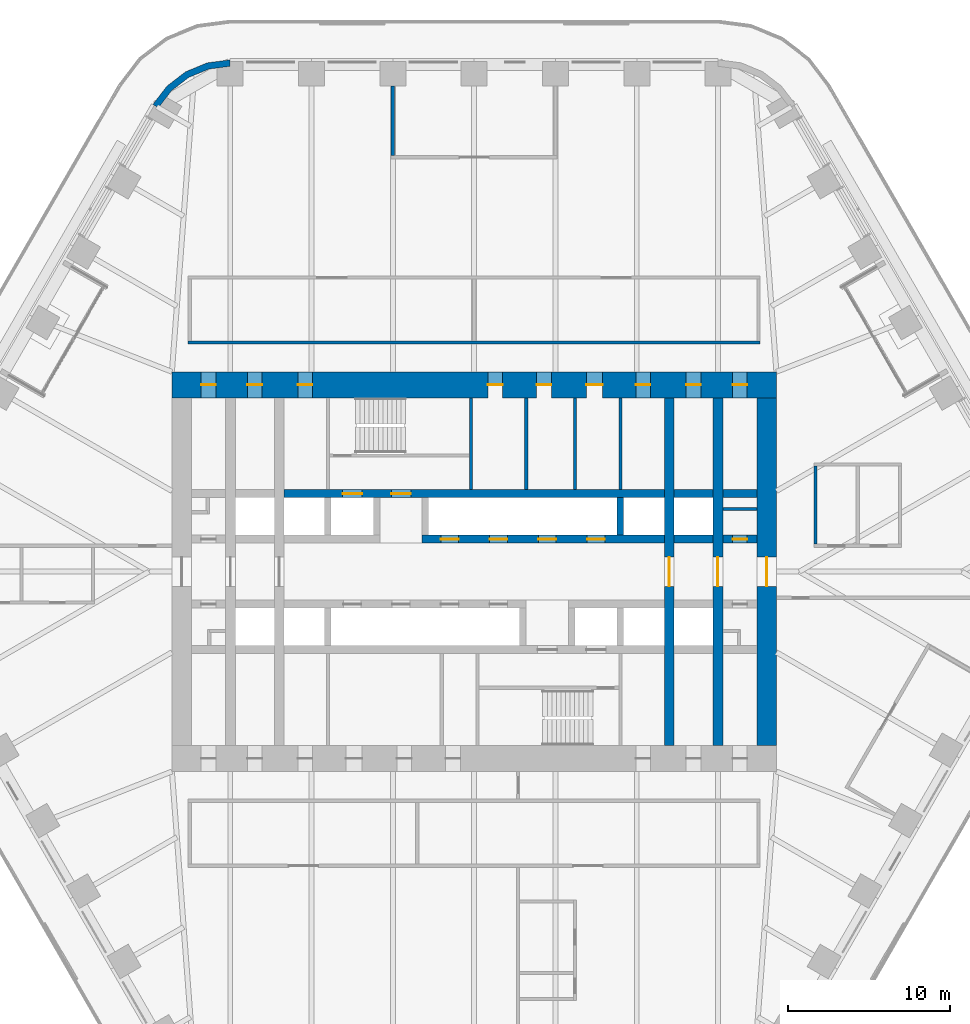
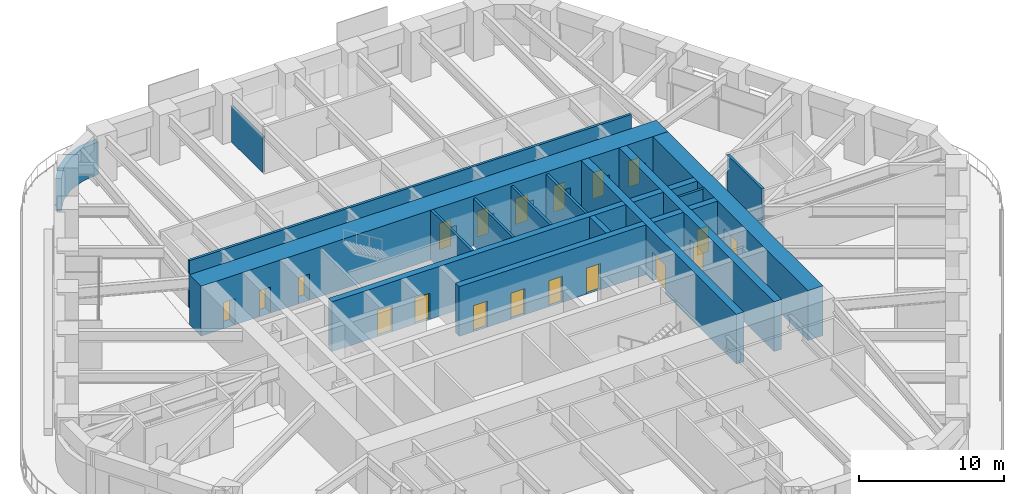
# One storey, part 20 of 24: 20 walls, 19 doors, 19 openings.
"""IFC4 building model written with IfcOpenShell, lengths in metres."""

from ifc_helpers import new_model, si_unit, direction, frame, frame_2d, origin, place, context, subcontext, project, spatial, polyline, rectangle, outline, extrude, material, layer, layer_set, type_object, element, fill, save


model = new_model("IFC4")

# Units and contexts
model_context = context("Model", 3, precision=1e-05, world=origin(), true_north=direction((0.0, 1.0)))
body_context = subcontext(model_context, "Body", "Model", "MODEL_VIEW")
ifc_project = project(units=[si_unit("LENGTHUNIT", "METRE"), si_unit("AREAUNIT", "SQUARE_METRE"), si_unit("VOLUMEUNIT", "CUBIC_METRE"), si_unit("PLANEANGLEUNIT", "RADIAN"), si_unit("MASSUNIT", "GRAM", prefix="KILO")], contexts=[model_context])

# Site, building, storey
site_placement = place(None, origin())
site = spatial("IfcSite", under=ifc_project, at=site_placement, CompositionType="ELEMENT")
building_placement = place(site_placement, origin())
building = spatial("IfcBuilding", under=site, at=building_placement, Name="Tarfa Lantern Tower", CompositionType="ELEMENT")
storey_placement = place(building_placement, frame((0.0, 0.0, 153.10009765625)))
storey = spatial("IfcBuildingStorey", under=building, at=storey_placement, Name="L34", CompositionType="ELEMENT", Elevation=153.10009765625)

# Walls
ifc_material_1 = material(Name="Limestone cladding on blockwork", Category="masonry")
ifc_layer_1 = layer(ifc_material_1, 0.39990234375)
ifc_layer_set_1 = layer_set([ifc_layer_1], Name="EW2 CURVED STONE CORNER 400")
wall_type_1 = type_object("IfcWallType", Name="EW2 CURVED STONE CORNER 400", PredefinedType="SOLIDWALL", material=ifc_layer_set_1)
wall_1_placement = place(storey_placement, origin())
element("IfcWall", 1, at=wall_1_placement, inside=storey, type_object=wall_type_1, Name="Stone corner N-NW", PredefinedType="SOLIDWALL", context=body_context, shape_type="SweptSolid", body=[
    extrude(outline(polyline([(-15.010986328125, 31.5), (-16.4345703125, 31.3125), (-17.760986328125, 30.76318359375), (-18.900146484375, 29.88916015625), (-19.774169921875, 28.75), (-19.427734375, 28.550048828125), (-18.617431640625, 29.606201171875), (-17.56103515625, 30.416748046875), (-16.3310546875, 30.92626953125), (-15.010986328125, 31.10009765625), (-15.010986328125, 31.5)])), origin(), (0.0, 0.0, 1.0), 2.75),
])
ifc_material_2 = material(Name="Concrete blockwork", Category="masonry")
ifc_layer_2 = layer(ifc_material_2, 0.199951171875)
ifc_layer_set_2 = layer_set([ifc_layer_2], Name="IW1 BLOCKWORK PARTITION 200 EI 120")
wall_type_2 = type_object("IfcWallType", Name="IW1 BLOCKWORK PARTITION 200 EI 120", PredefinedType="PARTITIONING", material=ifc_layer_set_2)
for number, where, z_axis, x_axis, name in (
    (2, (9.0, 5.050048828125, 0.0), (0.0, 0.0, 1.0), (0.0, 1.0, 0.0), "Core partition"),
    (3, (3.199951171875, 5.050048828125, 0.0), (0.0, 0.0, 1.0), (0.0, 1.0, 0.0), "Core partition"),
    (4, (6.199951171875, 5.050048828125, 0.0), (0.0, 0.0, 1.0), (0.0, 1.0, 0.0), "Core partition"),
):
    element("IfcWall", number, at=place(storey_placement, frame(where, z_axis=z_axis, x_axis=x_axis)), inside=storey, type_object=wall_type_2, Name=name, PredefinedType="PARTITIONING", context=body_context, shape_type="SweptSolid", body=[
        extrude(rectangle(XDim=5.64990234375, YDim=0.199951171875, at=frame_2d((2.824951171875, 0.0))), origin(), (0.0, 0.0, 1.0), 4.0),
    ])
wall_2_placement = place(storey_placement, frame((15.300048828125, 3.85009765625, 0.0), z_axis=(0.0, 0.0, 1.0), x_axis=(1.0, 0.0, 0.0)))
element("IfcWall", 5, at=wall_2_placement, inside=storey, type_object=wall_type_2, Name="Core partition", PredefinedType="PARTITIONING", context=body_context, shape_type="SweptSolid", body=[
    extrude(rectangle(XDim=2.099853515625, YDim=0.199951171875, at=frame_2d((1.0498046875, 0.0))), origin(), (0.0, 0.0, 1.0), 4.0),
])
ifc_material_3 = material(Name="Gypsum board on steel studs", Category="steel")
ifc_layer_3 = layer(ifc_material_3, 0.2099609375)
ifc_layer_set_3 = layer_set([ifc_layer_3], Name="IW2 ACOUSTIC PARTITION 200")
wall_type_3 = type_object("IfcWallType", Name="IW2 ACOUSTIC PARTITION 200", PredefinedType="PARTITIONING", material=ifc_layer_set_3)
wall_3_placement = place(storey_placement, frame((-17.60009765625, 14.10009765625, 0.0), z_axis=(0.0, 0.0, 1.0), x_axis=(1.0, 0.0, 0.0)))
element("IfcWall", 6, at=wall_3_placement, inside=storey, type_object=wall_type_3, Name="Partition", PredefinedType="PARTITIONING", context=body_context, shape_type="SweptSolid", body=[
    extrude(rectangle(XDim=35.2001953125, YDim=0.199951171875, at=frame_2d((17.60009765625, 0.0))), origin(), (0.0, 0.0, 1.0), 4.0),
])
wall_4_placement = place(storey_placement, frame((-5.003662109375, 25.60009765625, 0.0), z_axis=(0.0, 0.0, 1.0), x_axis=(0.0, 1.0, 0.0)))
element("IfcWall", 7, at=wall_4_placement, inside=storey, type_object=wall_type_3, Name="Partition", PredefinedType="PARTITIONING", context=body_context, shape_type="SweptSolid", body=[
    extrude(rectangle(XDim=4.2998046875, YDim=0.199951171875, at=frame_2d((2.14990234375, 0.0))), origin(), (0.0, 0.0, 1.0), 2.99169921875),
])
wall_5_placement = place(storey_placement, frame((21.0, 1.699951171875, 0.0), z_axis=(0.0, 0.0, 1.0), x_axis=(0.0, 1.0, 0.0)))
element("IfcWall", 8, at=wall_5_placement, inside=storey, type_object=wall_type_3, Name="Partition", PredefinedType="PARTITIONING", context=body_context, shape_type="SweptSolid", body=[
    extrude(rectangle(XDim=4.800048828125, YDim=0.199951171875, at=frame_2d((2.39990234375, 0.0))), origin(), (0.0, 0.0, 1.0), 4.0),
])

# Wall, opening, door
ifc_material_4 = material(Name="Concrete C80/95", Category="concrete")
ifc_layer_4 = layer(ifc_material_4, 1.199951171875)
ifc_layer_set_4 = layer_set([ifc_layer_4], Name="SW1 CORE WALL 1200")
wall_type_4 = type_object("IfcWallType", Name="SW1 CORE WALL 1200", PredefinedType="SHEAR", material=ifc_layer_set_4)
wall_6_placement = place(storey_placement, frame((18.0, -10.699951171875, 0.0), z_axis=(0.0, 0.0, 1.0), x_axis=(0.0, 1.0, 0.0)))
wall_6 = element("IfcWall", 9, at=wall_6_placement, inside=storey, type_object=wall_type_4, Name="Core wall E", PredefinedType="SHEAR", context=body_context, shape_type="SweptSolid", body=[
    extrude(rectangle(XDim=21.39990234375, YDim=1.199951171875, at=frame_2d((10.699951171875, 0.0))), origin(), (0.0, 0.0, 1.0), 4.199951171875),
])
opening_1_placement = place(wall_6_placement, frame((9.800048828125, 0.0, 0.0)))
opening_1 = element("IfcOpeningElement", 10, at=opening_1_placement, cuts=wall_6, Name="Opening D15", PredefinedType="OPENING", context=body_context, shape_type="SweptSolid", body=[
    extrude(rectangle(XDim=1.800048828125, YDim=2.39990234375, at=frame_2d((0.89990234375, 1.199951171875))), frame((0.0, 0.60986328125, 0.0), z_axis=(0.0, -1.0, 0.0), x_axis=(1.0, 0.0, 0.0)), (0.0, 0.0, 1.0), 1.219970703125),
])
ifc_material_5 = material(Name="Steel fire door", Category="steel")
door_type_1 = type_object("IfcDoorType", Name="DL1 LOBBY DOOR 1800x2400", OperationType="DOUBLE_DOOR_SINGLE_SWING", PredefinedType="DOOR", material=ifc_material_5)
door_1_placement = place(opening_1_placement, frame((1.800048828125, 0.0, 0.0), z_axis=(0.0, 0.0, 1.0), x_axis=(-1.0, 0.0, 0.0)))
door_1 = element("IfcDoor", 11, at=door_1_placement, inside=storey, type_object=door_type_1, Name="Lift lobby door", OperationType="DOUBLE_DOOR_SINGLE_SWING", OverallHeight=2.39990234375, OverallWidth=1.800048828125, PredefinedType="DOOR", context=body_context, shape_type="SweptSolid", body=[
    extrude(rectangle(XDim=1.800048828125, YDim=2.39990234375, at=frame_2d((0.89990234375, 1.199951171875))), frame((0.0, 0.02490234375, 0.0), z_axis=(0.0, -1.0, 0.0), x_axis=(1.0, 0.0, 0.0)), (0.0, 0.0, 1.0), 0.050048828125),
])
fill(opening_1, door_1)

# Wall
ifc_layer_5 = layer(ifc_material_4, 0.199951171875)
ifc_layer_set_5 = layer_set([ifc_layer_5], Name="SW12 CORE WALL 200")
wall_type_5 = type_object("IfcWallType", Name="SW12 CORE WALL 200", PredefinedType="SHEAR", material=ifc_layer_set_5)
wall_7_placement = place(storey_placement, frame((-0.199951171875, 5.050048828125, 0.0), z_axis=(0.0, 0.0, 1.0), x_axis=(0.0, 1.0, 0.0)))
element("IfcWall", 12, at=wall_7_placement, inside=storey, type_object=wall_type_5, Name="Core wall stair shaft N", PredefinedType="SHEAR", context=body_context, shape_type="SweptSolid", body=[
    extrude(rectangle(XDim=5.64990234375, YDim=0.199951171875, at=frame_2d((2.824951171875, 0.0))), origin(), (0.0, 0.0, 1.0), 4.199951171875),
])

# Wall, openings, doors
ifc_layer_6 = layer(ifc_material_4, 0.5)
ifc_layer_set_6 = layer_set([ifc_layer_6], Name="SW5 CORE WALL 500")
wall_type_6 = type_object("IfcWallType", Name="SW5 CORE WALL 500", PredefinedType="SHEAR", material=ifc_layer_set_6)
wall_8_placement = place(storey_placement, frame((-3.199951171875, 2.0, 0.0), z_axis=(0.0, 0.0, 1.0), x_axis=(1.0, 0.0, 0.0)))
wall_8 = element("IfcWall", 13, at=wall_8_placement, inside=storey, type_object=wall_type_6, Name="Core wall lobby east N", PredefinedType="SHEAR", context=body_context, shape_type="SweptSolid", body=[
    extrude(rectangle(XDim=14.89990234375, YDim=0.5, at=frame_2d((7.449951171875, 0.0))), origin(), (0.0, 0.0, 1.0), 4.199951171875),
])
opening_2_placement = place(wall_8_placement, frame((1.14990234375, 0.0, 0.0)))
opening_2 = element("IfcOpeningElement", 14, at=opening_2_placement, cuts=wall_8, Name="Opening LD03", PredefinedType="OPENING", context=body_context, shape_type="SweptSolid", body=[
    extrude(rectangle(XDim=1.10009765625, YDim=2.199951171875, at=frame_2d((0.550048828125, 1.10009765625))), frame((0.0, 0.260009765625, 0.0), z_axis=(0.0, -1.0, 0.0), x_axis=(1.0, 0.0, 0.0)), (0.0, 0.0, 1.0), 0.52001953125),
])
opening_3_placement = place(wall_8_placement, frame((4.14990234375, 0.0, 0.0)))
opening_3 = element("IfcOpeningElement", 15, at=opening_3_placement, cuts=wall_8, Name="Opening LD04", PredefinedType="OPENING", context=body_context, shape_type="SweptSolid", body=[
    extrude(rectangle(XDim=1.10009765625, YDim=2.199951171875, at=frame_2d((0.550048828125, 1.10009765625))), frame((0.0, 0.260009765625, 0.0), z_axis=(0.0, -1.0, 0.0), x_axis=(1.0, 0.0, 0.0)), (0.0, 0.0, 1.0), 0.52001953125),
])
opening_4_placement = place(wall_8_placement, frame((7.14990234375, 0.0, 0.0)))
opening_4 = element("IfcOpeningElement", 16, at=opening_4_placement, cuts=wall_8, Name="Opening LD05", PredefinedType="OPENING", context=body_context, shape_type="SweptSolid", body=[
    extrude(rectangle(XDim=1.10009765625, YDim=2.199951171875, at=frame_2d((0.550048828125, 1.10009765625))), frame((0.0, 0.260009765625, 0.0), z_axis=(0.0, -1.0, 0.0), x_axis=(1.0, 0.0, 0.0)), (0.0, 0.0, 1.0), 0.52001953125),
])
opening_5_placement = place(wall_8_placement, frame((10.14990234375, 0.0, 0.0)))
opening_5 = element("IfcOpeningElement", 17, at=opening_5_placement, cuts=wall_8, Name="Opening LD06", PredefinedType="OPENING", context=body_context, shape_type="SweptSolid", body=[
    extrude(rectangle(XDim=1.10009765625, YDim=2.199951171875, at=frame_2d((0.550048828125, 1.10009765625))), frame((0.0, 0.260009765625, 0.0), z_axis=(0.0, -1.0, 0.0), x_axis=(1.0, 0.0, 0.0)), (0.0, 0.0, 1.0), 0.52001953125),
])
ifc_material_6 = material(Name="Stainless steel lift door", Category="steel")
door_type_2 = type_object("IfcDoorType", Name="LD2 LIFT LANDING DOOR 1100x2200", OperationType="SLIDING_TO_LEFT", PredefinedType="DOOR", material=ifc_material_6)
door_2_placement = place(opening_2_placement, frame((1.10009765625, 0.0, 0.0), z_axis=(0.0, 0.0, 1.0), x_axis=(-1.0, 0.0, 0.0)))
door_2 = element("IfcDoor", 18, at=door_2_placement, inside=storey, type_object=door_type_2, Name="Landing door PB1", OperationType="SLIDING_TO_LEFT", OverallHeight=2.199951171875, OverallWidth=1.10009765625, PredefinedType="DOOR", context=body_context, shape_type="SweptSolid", body=[
    extrude(rectangle(XDim=1.10009765625, YDim=2.199951171875, at=frame_2d((0.550048828125, 1.10009765625))), frame((0.0, 0.02490234375, 0.0), z_axis=(0.0, -1.0, 0.0), x_axis=(1.0, 0.0, 0.0)), (0.0, 0.0, 1.0), 0.050048828125),
])
fill(opening_2, door_2)
door_3_placement = place(opening_3_placement, frame((1.10009765625, 0.0, 0.0), z_axis=(0.0, 0.0, 1.0), x_axis=(-1.0, 0.0, 0.0)))
door_3 = element("IfcDoor", 19, at=door_3_placement, inside=storey, type_object=door_type_2, Name="Landing door PB2", OperationType="SLIDING_TO_LEFT", OverallHeight=2.199951171875, OverallWidth=1.10009765625, PredefinedType="DOOR", context=body_context, shape_type="SweptSolid", body=[
    extrude(rectangle(XDim=1.10009765625, YDim=2.199951171875, at=frame_2d((0.550048828125, 1.10009765625))), frame((0.0, 0.02490234375, 0.0), z_axis=(0.0, -1.0, 0.0), x_axis=(1.0, 0.0, 0.0)), (0.0, 0.0, 1.0), 0.050048828125),
])
fill(opening_3, door_3)
door_4_placement = place(opening_4_placement, frame((1.10009765625, 0.0, 0.0), z_axis=(0.0, 0.0, 1.0), x_axis=(-1.0, 0.0, 0.0)))
door_4 = element("IfcDoor", 20, at=door_4_placement, inside=storey, type_object=door_type_2, Name="Landing door PB3", OperationType="SLIDING_TO_LEFT", OverallHeight=2.199951171875, OverallWidth=1.10009765625, PredefinedType="DOOR", context=body_context, shape_type="SweptSolid", body=[
    extrude(rectangle(XDim=1.10009765625, YDim=2.199951171875, at=frame_2d((0.550048828125, 1.10009765625))), frame((0.0, 0.02490234375, 0.0), z_axis=(0.0, -1.0, 0.0), x_axis=(1.0, 0.0, 0.0)), (0.0, 0.0, 1.0), 0.050048828125),
])
fill(opening_4, door_4)
door_5_placement = place(opening_5_placement, frame((1.10009765625, 0.0, 0.0), z_axis=(0.0, 0.0, 1.0), x_axis=(-1.0, 0.0, 0.0)))
door_5 = element("IfcDoor", 21, at=door_5_placement, inside=storey, type_object=door_type_2, Name="Landing door PB4", OperationType="SLIDING_TO_LEFT", OverallHeight=2.199951171875, OverallWidth=1.10009765625, PredefinedType="DOOR", context=body_context, shape_type="SweptSolid", body=[
    extrude(rectangle(XDim=1.10009765625, YDim=2.199951171875, at=frame_2d((0.550048828125, 1.10009765625))), frame((0.0, 0.02490234375, 0.0), z_axis=(0.0, -1.0, 0.0), x_axis=(1.0, 0.0, 0.0)), (0.0, 0.0, 1.0), 0.050048828125),
])
fill(opening_5, door_5)

# Wall
wall_9_placement = place(storey_placement, frame((12.300048828125, 2.0, 0.0), z_axis=(0.0, 0.0, 1.0), x_axis=(1.0, 0.0, 0.0)))
element("IfcWall", 22, at=wall_9_placement, inside=storey, type_object=wall_type_6, Name="Core wall lobby east N", PredefinedType="SHEAR", context=body_context, shape_type="SweptSolid", body=[
    extrude(rectangle(XDim=2.39990234375, YDim=0.5, at=frame_2d((1.199951171875, 0.0))), origin(), (0.0, 0.0, 1.0), 4.199951171875),
])

# Wall, opening, door
wall_10_placement = place(storey_placement, frame((15.300048828125, 2.0, 0.0), z_axis=(0.0, 0.0, 1.0), x_axis=(1.0, 0.0, 0.0)))
wall_10 = element("IfcWall", 23, at=wall_10_placement, inside=storey, type_object=wall_type_6, Name="Core wall lobby east N", PredefinedType="SHEAR", context=body_context, shape_type="SweptSolid", body=[
    extrude(rectangle(XDim=2.099853515625, YDim=0.5, at=frame_2d((1.0498046875, 0.0))), origin(), (0.0, 0.0, 1.0), 4.199951171875),
])
opening_6_placement = place(wall_10_placement, frame((0.60009765625, 0.0, 0.0)))
opening_6 = element("IfcOpeningElement", 24, at=opening_6_placement, cuts=wall_10, Name="Opening D17", PredefinedType="OPENING", context=body_context, shape_type="SweptSolid", body=[
    extrude(rectangle(XDim=0.89990234375, YDim=2.199951171875, at=frame_2d((0.449951171875, 1.10009765625))), frame((0.0, 0.260009765625, 0.0), z_axis=(0.0, -1.0, 0.0), x_axis=(1.0, 0.0, 0.0)), (0.0, 0.0, 1.0), 0.52001953125),
])
door_type_3 = type_object("IfcDoorType", Name="DF6 SERVICE ROOM DOOR 900x2200", OperationType="SINGLE_SWING_LEFT", PredefinedType="DOOR", material=ifc_material_5)
door_6_placement = place(opening_6_placement, origin())
door_6 = element("IfcDoor", 25, at=door_6_placement, inside=storey, type_object=door_type_3, Name="Service room door", OperationType="SINGLE_SWING_LEFT", OverallHeight=2.199951171875, OverallWidth=0.89990234375, PredefinedType="DOOR", context=body_context, shape_type="SweptSolid", body=[
    extrude(rectangle(XDim=0.89990234375, YDim=2.199951171875, at=frame_2d((0.449951171875, 1.10009765625))), frame((0.0, 0.02490234375, 0.0), z_axis=(0.0, -1.0, 0.0), x_axis=(1.0, 0.0, 0.0)), (0.0, 0.0, 1.0), 0.050048828125),
])
fill(opening_6, door_6)

# Wall, openings, doors
wall_11_placement = place(storey_placement, frame((-11.699951171875, 4.800048828125, 0.0), z_axis=(0.0, 0.0, 1.0), x_axis=(1.0, 0.0, 0.0)))
wall_11 = element("IfcWall", 26, at=wall_11_placement, inside=storey, type_object=wall_type_6, Name="Core wall rear N", PredefinedType="SHEAR", context=body_context, shape_type="SweptSolid", body=[
    extrude(rectangle(XDim=23.39990234375, YDim=0.5, at=frame_2d((11.699951171875, 0.0))), origin(), (0.0, 0.0, 1.0), 4.199951171875),
])
opening_7_placement = place(wall_11_placement, frame((6.60009765625, 0.0, 0.0)))
opening_7 = element("IfcOpeningElement", 27, at=opening_7_placement, cuts=wall_11, Name="Opening D13", PredefinedType="OPENING", context=body_context, shape_type="SweptSolid", body=[
    extrude(rectangle(XDim=1.199951171875, YDim=2.199951171875, at=frame_2d((0.60009765625, 1.10009765625))), frame((0.0, 0.260009765625, 0.0), z_axis=(0.0, -1.0, 0.0), x_axis=(1.0, 0.0, 0.0)), (0.0, 0.0, 1.0), 0.52001953125),
])
opening_8_placement = place(wall_11_placement, frame((3.60009765625, 0.0, 0.0)))
opening_8 = element("IfcOpeningElement", 28, at=opening_8_placement, cuts=wall_11, Name="Opening LD01", PredefinedType="OPENING", context=body_context, shape_type="SweptSolid", body=[
    extrude(rectangle(XDim=1.199951171875, YDim=2.199951171875, at=frame_2d((0.60009765625, 1.10009765625))), frame((0.0, 0.260009765625, 0.0), z_axis=(0.0, -1.0, 0.0), x_axis=(1.0, 0.0, 0.0)), (0.0, 0.0, 1.0), 0.52001953125),
])
door_type_4 = type_object("IfcDoorType", Name="DF1 FIREFIGHTING LOBBY DOOR 1200x2200", OperationType="SINGLE_SWING_LEFT", PredefinedType="DOOR", material=ifc_material_5)
door_7_placement = place(opening_7_placement, origin())
door_7 = element("IfcDoor", 29, at=door_7_placement, inside=storey, type_object=door_type_4, Name="Firefighting lobby door", OperationType="SINGLE_SWING_LEFT", OverallHeight=2.199951171875, OverallWidth=1.199951171875, PredefinedType="DOOR", context=body_context, shape_type="SweptSolid", body=[
    extrude(rectangle(XDim=1.199951171875, YDim=2.199951171875, at=frame_2d((0.60009765625, 1.10009765625))), frame((0.0, 0.02490234375, 0.0), z_axis=(0.0, -1.0, 0.0), x_axis=(1.0, 0.0, 0.0)), (0.0, 0.0, 1.0), 0.050048828125),
])
fill(opening_7, door_7)
door_type_5 = type_object("IfcDoorType", Name="LD1 LIFT LANDING DOOR 1200x2200", OperationType="SLIDING_TO_LEFT", PredefinedType="DOOR", material=ifc_material_6)
door_8_placement = place(opening_8_placement, origin())
door_8 = element("IfcDoor", 30, at=door_8_placement, inside=storey, type_object=door_type_5, Name="Landing door FL1", OperationType="SLIDING_TO_LEFT", OverallHeight=2.199951171875, OverallWidth=1.199951171875, PredefinedType="DOOR", context=body_context, shape_type="SweptSolid", body=[
    extrude(rectangle(XDim=1.199951171875, YDim=2.199951171875, at=frame_2d((0.60009765625, 1.10009765625))), frame((0.0, 0.02490234375, 0.0), z_axis=(0.0, -1.0, 0.0), x_axis=(1.0, 0.0, 0.0)), (0.0, 0.0, 1.0), 0.050048828125),
])
fill(opening_8, door_8)

# Walls
wall_12_placement = place(storey_placement, frame((12.300048828125, 4.800048828125, 0.0), z_axis=(0.0, 0.0, 1.0), x_axis=(1.0, 0.0, 0.0)))
element("IfcWall", 31, at=wall_12_placement, inside=storey, type_object=wall_type_6, Name="Core wall rear N", PredefinedType="SHEAR", context=body_context, shape_type="SweptSolid", body=[
    extrude(rectangle(XDim=2.39990234375, YDim=0.5, at=frame_2d((1.199951171875, 0.0))), origin(), (0.0, 0.0, 1.0), 4.199951171875),
])
wall_13_placement = place(storey_placement, frame((15.300048828125, 4.800048828125, 0.0), z_axis=(0.0, 0.0, 1.0), x_axis=(1.0, 0.0, 0.0)))
element("IfcWall", 32, at=wall_13_placement, inside=storey, type_object=wall_type_6, Name="Core wall rear N", PredefinedType="SHEAR", context=body_context, shape_type="SweptSolid", body=[
    extrude(rectangle(XDim=2.099853515625, YDim=0.5, at=frame_2d((1.0498046875, 0.0))), origin(), (0.0, 0.0, 1.0), 4.199951171875),
])
ifc_layer_7 = layer(ifc_material_4, 0.39990234375)
ifc_layer_set_7 = layer_set([ifc_layer_7], Name="SW6 CORE WALL 400")
wall_type_7 = type_object("IfcWallType", Name="SW6 CORE WALL 400", PredefinedType="SHEAR", material=ifc_layer_set_7)
wall_14_placement = place(storey_placement, frame((9.0, 2.25, 0.0), z_axis=(0.0, 0.0, 1.0), x_axis=(0.0, 1.0, 0.0)))
element("IfcWall", 33, at=wall_14_placement, inside=storey, type_object=wall_type_7, Name="Core wall divider N", PredefinedType="SHEAR", context=body_context, shape_type="SweptSolid", body=[
    extrude(rectangle(XDim=2.300048828125, YDim=0.39990234375, at=frame_2d((1.14990234375, 0.0))), origin(), (0.0, 0.0, 1.0), 4.199951171875),
])

# Wall, openings, doors
ifc_layer_8 = layer(ifc_material_4, 1.60009765625)
ifc_layer_set_8 = layer_set([ifc_layer_8], Name="SW7 CORE WALL 1600")
wall_type_8 = type_object("IfcWallType", Name="SW7 CORE WALL 1600", PredefinedType="SHEAR", material=ifc_layer_set_8)
wall_15_placement = place(storey_placement, frame((-18.60009765625, 11.5, 0.0), z_axis=(0.0, 0.0, 1.0), x_axis=(1.0, 0.0, 0.0)))
wall_15 = element("IfcWall", 34, at=wall_15_placement, inside=storey, type_object=wall_type_8, Name="Core wall N", PredefinedType="SHEAR", context=body_context, shape_type="SweptSolid", body=[
    extrude(rectangle(XDim=37.2001953125, YDim=1.60009765625, at=frame_2d((18.60009765625, 0.0))), origin(), (0.0, 0.0, 1.0), 4.199951171875),
])
opening_9_placement = place(wall_15_placement, frame((19.449951171875, 0.0, 0.0)))
opening_9 = element("IfcOpeningElement", 35, at=opening_9_placement, cuts=wall_15, Name="Opening D21", PredefinedType="OPENING", context=body_context, shape_type="SweptSolid", body=[
    extrude(rectangle(XDim=0.89990234375, YDim=2.199951171875, at=frame_2d((0.449951171875, 1.10009765625))), frame((0.0, 0.81005859375, 0.0), z_axis=(0.0, -1.0, 0.0), x_axis=(1.0, 0.0, 0.0)), (0.0, 0.0, 1.0), 1.6201171875),
])
opening_10_placement = place(wall_15_placement, frame((22.449951171875, 0.0, 0.0)))
opening_10 = element("IfcOpeningElement", 36, at=opening_10_placement, cuts=wall_15, Name="Opening D23", PredefinedType="OPENING", context=body_context, shape_type="SweptSolid", body=[
    extrude(rectangle(XDim=0.89990234375, YDim=2.199951171875, at=frame_2d((0.449951171875, 1.10009765625))), frame((0.0, 0.81005859375, 0.0), z_axis=(0.0, -1.0, 0.0), x_axis=(1.0, 0.0, 0.0)), (0.0, 0.0, 1.0), 1.6201171875),
])
opening_11_placement = place(wall_15_placement, frame((25.5, 0.0, 0.0)))
opening_11 = element("IfcOpeningElement", 37, at=opening_11_placement, cuts=wall_15, Name="Opening D25", PredefinedType="OPENING", context=body_context, shape_type="SweptSolid", body=[
    extrude(rectangle(XDim=1.0, YDim=2.199951171875, at=frame_2d((0.5, 1.10009765625))), frame((0.0, 0.81005859375, 0.0), z_axis=(0.0, -1.0, 0.0), x_axis=(1.0, 0.0, 0.0)), (0.0, 0.0, 1.0), 1.6201171875),
])
opening_12_placement = place(wall_15_placement, frame((1.800048828125, 0.0, 0.0)))
opening_12 = element("IfcOpeningElement", 38, at=opening_12_placement, cuts=wall_15, Name="Opening D11", PredefinedType="OPENING", context=body_context, shape_type="SweptSolid", body=[
    extrude(rectangle(XDim=0.89990234375, YDim=2.199951171875, at=frame_2d((0.449951171875, 1.10009765625))), frame((0.0, 0.81005859375, 0.0), z_axis=(0.0, -1.0, 0.0), x_axis=(1.0, 0.0, 0.0)), (0.0, 0.0, 1.0), 1.6201171875),
])
opening_13_placement = place(wall_15_placement, frame((4.64990234375, 0.0, 0.0)))
opening_13 = element("IfcOpeningElement", 39, at=opening_13_placement, cuts=wall_15, Name="Opening D07", PredefinedType="OPENING", context=body_context, shape_type="SweptSolid", body=[
    extrude(rectangle(XDim=0.89990234375, YDim=2.199951171875, at=frame_2d((0.449951171875, 1.10009765625))), frame((0.0, 0.81005859375, 0.0), z_axis=(0.0, -1.0, 0.0), x_axis=(1.0, 0.0, 0.0)), (0.0, 0.0, 1.0), 1.6201171875),
])
opening_14_placement = place(wall_15_placement, frame((7.75, 0.0, 0.0)))
opening_14 = element("IfcOpeningElement", 40, at=opening_14_placement, cuts=wall_15, Name="Opening D09", PredefinedType="OPENING", context=body_context, shape_type="SweptSolid", body=[
    extrude(rectangle(XDim=0.89990234375, YDim=2.199951171875, at=frame_2d((0.449951171875, 1.10009765625))), frame((0.0, 0.81005859375, 0.0), z_axis=(0.0, -1.0, 0.0), x_axis=(1.0, 0.0, 0.0)), (0.0, 0.0, 1.0), 1.6201171875),
])
opening_15_placement = place(wall_15_placement, frame((28.550048828125, 0.0, 0.0)))
opening_15 = element("IfcOpeningElement", 41, at=opening_15_placement, cuts=wall_15, Name="Opening D05", PredefinedType="OPENING", context=body_context, shape_type="SweptSolid", body=[
    extrude(rectangle(XDim=0.89990234375, YDim=2.199951171875, at=frame_2d((0.449951171875, 1.10009765625))), frame((0.0, 0.81005859375, 0.0), z_axis=(0.0, -1.0, 0.0), x_axis=(1.0, 0.0, 0.0)), (0.0, 0.0, 1.0), 1.6201171875),
])
opening_16_placement = place(wall_15_placement, frame((31.64990234375, 0.0, 0.0)))
opening_16 = element("IfcOpeningElement", 42, at=opening_16_placement, cuts=wall_15, Name="Opening D01", PredefinedType="OPENING", context=body_context, shape_type="SweptSolid", body=[
    extrude(rectangle(XDim=0.89990234375, YDim=2.199951171875, at=frame_2d((0.449951171875, 1.10009765625))), frame((0.0, 0.81005859375, 0.0), z_axis=(0.0, -1.0, 0.0), x_axis=(1.0, 0.0, 0.0)), (0.0, 0.0, 1.0), 1.6201171875),
])
opening_17_placement = place(wall_15_placement, frame((34.5, 0.0, 0.0)))
opening_17 = element("IfcOpeningElement", 43, at=opening_17_placement, cuts=wall_15, Name="Opening D03", PredefinedType="OPENING", context=body_context, shape_type="SweptSolid", body=[
    extrude(rectangle(XDim=0.89990234375, YDim=2.199951171875, at=frame_2d((0.449951171875, 1.10009765625))), frame((0.0, 0.81005859375, 0.0), z_axis=(0.0, -1.0, 0.0), x_axis=(1.0, 0.0, 0.0)), (0.0, 0.0, 1.0), 1.6201171875),
])
door_type_6 = type_object("IfcDoorType", Name="DF3 CORE ROOM DOOR 900x2200", OperationType="SINGLE_SWING_LEFT", PredefinedType="DOOR", material=ifc_material_5)
door_9_placement = place(opening_9_placement, frame((0.89990234375, 0.0, 0.0), z_axis=(0.0, 0.0, 1.0), x_axis=(-1.0, 0.0, 0.0)))
door_9 = element("IfcDoor", 44, at=door_9_placement, inside=storey, type_object=door_type_6, Name="Core door", OperationType="SINGLE_SWING_LEFT", OverallHeight=2.199951171875, OverallWidth=0.89990234375, PredefinedType="DOOR", context=body_context, shape_type="SweptSolid", body=[
    extrude(rectangle(XDim=0.89990234375, YDim=2.199951171875, at=frame_2d((0.449951171875, 1.10009765625))), frame((0.0, 0.02490234375, 0.0), z_axis=(0.0, -1.0, 0.0), x_axis=(1.0, 0.0, 0.0)), (0.0, 0.0, 1.0), 0.050048828125),
])
fill(opening_9, door_9)
door_10_placement = place(opening_10_placement, frame((0.89990234375, 0.0, 0.0), z_axis=(0.0, 0.0, 1.0), x_axis=(-1.0, 0.0, 0.0)))
door_10 = element("IfcDoor", 45, at=door_10_placement, inside=storey, type_object=door_type_6, Name="Core door", OperationType="SINGLE_SWING_LEFT", OverallHeight=2.199951171875, OverallWidth=0.89990234375, PredefinedType="DOOR", context=body_context, shape_type="SweptSolid", body=[
    extrude(rectangle(XDim=0.89990234375, YDim=2.199951171875, at=frame_2d((0.449951171875, 1.10009765625))), frame((0.0, 0.02490234375, 0.0), z_axis=(0.0, -1.0, 0.0), x_axis=(1.0, 0.0, 0.0)), (0.0, 0.0, 1.0), 0.050048828125),
])
fill(opening_10, door_10)
door_type_7 = type_object("IfcDoorType", Name="DF4 CORE ROOM DOOR 1000x2200", OperationType="SINGLE_SWING_LEFT", PredefinedType="DOOR", material=ifc_material_5)
door_11_placement = place(opening_11_placement, frame((1.0, 0.0, 0.0), z_axis=(0.0, 0.0, 1.0), x_axis=(-1.0, 0.0, 0.0)))
door_11 = element("IfcDoor", 46, at=door_11_placement, inside=storey, type_object=door_type_7, Name="Core door", OperationType="SINGLE_SWING_LEFT", OverallHeight=2.199951171875, OverallWidth=1.0, PredefinedType="DOOR", context=body_context, shape_type="SweptSolid", body=[
    extrude(rectangle(XDim=1.0, YDim=2.199951171875, at=frame_2d((0.5, 1.10009765625))), frame((0.0, 0.02490234375, 0.0), z_axis=(0.0, -1.0, 0.0), x_axis=(1.0, 0.0, 0.0)), (0.0, 0.0, 1.0), 0.050048828125),
])
fill(opening_11, door_11)
door_type_8 = type_object("IfcDoorType", Name="DF5 RISER DOOR 900x2200", OperationType="SINGLE_SWING_LEFT", PredefinedType="DOOR", material=ifc_material_5)
door_12_placement = place(opening_12_placement, frame((0.89990234375, 0.0, 0.0), z_axis=(0.0, 0.0, 1.0), x_axis=(-1.0, 0.0, 0.0)))
door_12 = element("IfcDoor", 47, at=door_12_placement, inside=storey, type_object=door_type_8, Name="Riser door", OperationType="SINGLE_SWING_LEFT", OverallHeight=2.199951171875, OverallWidth=0.89990234375, PredefinedType="DOOR", context=body_context, shape_type="SweptSolid", body=[
    extrude(rectangle(XDim=0.89990234375, YDim=2.199951171875, at=frame_2d((0.449951171875, 1.10009765625))), frame((0.0, 0.02490234375, 0.0), z_axis=(0.0, -1.0, 0.0), x_axis=(1.0, 0.0, 0.0)), (0.0, 0.0, 1.0), 0.050048828125),
])
fill(opening_12, door_12)
door_13_placement = place(opening_13_placement, frame((0.89990234375, 0.0, 0.0), z_axis=(0.0, 0.0, 1.0), x_axis=(-1.0, 0.0, 0.0)))
door_13 = element("IfcDoor", 48, at=door_13_placement, inside=storey, type_object=door_type_8, Name="Riser door", OperationType="SINGLE_SWING_LEFT", OverallHeight=2.199951171875, OverallWidth=0.89990234375, PredefinedType="DOOR", context=body_context, shape_type="SweptSolid", body=[
    extrude(rectangle(XDim=0.89990234375, YDim=2.199951171875, at=frame_2d((0.449951171875, 1.10009765625))), frame((0.0, 0.02490234375, 0.0), z_axis=(0.0, -1.0, 0.0), x_axis=(1.0, 0.0, 0.0)), (0.0, 0.0, 1.0), 0.050048828125),
])
fill(opening_13, door_13)
door_14_placement = place(opening_14_placement, frame((0.89990234375, 0.0, 0.0), z_axis=(0.0, 0.0, 1.0), x_axis=(-1.0, 0.0, 0.0)))
door_14 = element("IfcDoor", 49, at=door_14_placement, inside=storey, type_object=door_type_8, Name="Riser door", OperationType="SINGLE_SWING_LEFT", OverallHeight=2.199951171875, OverallWidth=0.89990234375, PredefinedType="DOOR", context=body_context, shape_type="SweptSolid", body=[
    extrude(rectangle(XDim=0.89990234375, YDim=2.199951171875, at=frame_2d((0.449951171875, 1.10009765625))), frame((0.0, 0.02490234375, 0.0), z_axis=(0.0, -1.0, 0.0), x_axis=(1.0, 0.0, 0.0)), (0.0, 0.0, 1.0), 0.050048828125),
])
fill(opening_14, door_14)
door_15_placement = place(opening_15_placement, frame((0.89990234375, 0.0, 0.0), z_axis=(0.0, 0.0, 1.0), x_axis=(-1.0, 0.0, 0.0)))
door_15 = element("IfcDoor", 50, at=door_15_placement, inside=storey, type_object=door_type_8, Name="Riser door", OperationType="SINGLE_SWING_RIGHT", OverallHeight=2.199951171875, OverallWidth=0.89990234375, PredefinedType="DOOR", context=body_context, shape_type="SweptSolid", body=[
    extrude(rectangle(XDim=0.89990234375, YDim=2.199951171875, at=frame_2d((0.449951171875, 1.10009765625))), frame((0.0, 0.02490234375, 0.0), z_axis=(0.0, -1.0, 0.0), x_axis=(1.0, 0.0, 0.0)), (0.0, 0.0, 1.0), 0.050048828125),
])
fill(opening_15, door_15)
door_16_placement = place(opening_16_placement, frame((0.89990234375, 0.0, 0.0), z_axis=(0.0, 0.0, 1.0), x_axis=(-1.0, 0.0, 0.0)))
door_16 = element("IfcDoor", 51, at=door_16_placement, inside=storey, type_object=door_type_8, Name="Riser door", OperationType="SINGLE_SWING_RIGHT", OverallHeight=2.199951171875, OverallWidth=0.89990234375, PredefinedType="DOOR", context=body_context, shape_type="SweptSolid", body=[
    extrude(rectangle(XDim=0.89990234375, YDim=2.199951171875, at=frame_2d((0.449951171875, 1.10009765625))), frame((0.0, 0.02490234375, 0.0), z_axis=(0.0, -1.0, 0.0), x_axis=(1.0, 0.0, 0.0)), (0.0, 0.0, 1.0), 0.050048828125),
])
fill(opening_16, door_16)
door_17_placement = place(opening_17_placement, frame((0.89990234375, 0.0, 0.0), z_axis=(0.0, 0.0, 1.0), x_axis=(-1.0, 0.0, 0.0)))
door_17 = element("IfcDoor", 52, at=door_17_placement, inside=storey, type_object=door_type_8, Name="Riser door", OperationType="SINGLE_SWING_RIGHT", OverallHeight=2.199951171875, OverallWidth=0.89990234375, PredefinedType="DOOR", context=body_context, shape_type="SweptSolid", body=[
    extrude(rectangle(XDim=0.89990234375, YDim=2.199951171875, at=frame_2d((0.449951171875, 1.10009765625))), frame((0.0, 0.02490234375, 0.0), z_axis=(0.0, -1.0, 0.0), x_axis=(1.0, 0.0, 0.0)), (0.0, 0.0, 1.0), 0.050048828125),
])
fill(opening_17, door_17)

# Wall, opening, door
ifc_layer_9 = layer(ifc_material_4, 0.60009765625)
ifc_layer_set_9 = layer_set([ifc_layer_9], Name="SW9 CORE WALL 600")
wall_type_9 = type_object("IfcWallType", Name="SW9 CORE WALL 600", PredefinedType="SHEAR", material=ifc_layer_set_9)
wall_16_placement = place(storey_placement, frame((12.0, -10.699951171875, 0.0), z_axis=(0.0, 0.0, 1.0), x_axis=(0.0, 1.0, 0.0)))
wall_16 = element("IfcWall", 53, at=wall_16_placement, inside=storey, type_object=wall_type_9, Name="Core wall cross 12 m east", PredefinedType="SHEAR", context=body_context, shape_type="SweptSolid", body=[
    extrude(rectangle(XDim=21.39990234375, YDim=0.60009765625, at=frame_2d((10.699951171875, 0.0))), origin(), (0.0, 0.0, 1.0), 4.199951171875),
])
opening_18_placement = place(wall_16_placement, frame((9.800048828125, 0.0, 0.0)))
opening_18 = element("IfcOpeningElement", 54, at=opening_18_placement, cuts=wall_16, Name="Opening D29", PredefinedType="OPENING", context=body_context, shape_type="SweptSolid", body=[
    extrude(rectangle(XDim=1.800048828125, YDim=2.39990234375, at=frame_2d((0.89990234375, 1.199951171875))), frame((0.0, 0.31005859375, 0.0), z_axis=(0.0, -1.0, 0.0), x_axis=(1.0, 0.0, 0.0)), (0.0, 0.0, 1.0), 0.6201171875),
])
door_18_placement = place(opening_18_placement, origin())
door_18 = element("IfcDoor", 55, at=door_18_placement, inside=storey, type_object=door_type_1, Name="Lift lobby door", OperationType="DOUBLE_DOOR_SINGLE_SWING", OverallHeight=2.39990234375, OverallWidth=1.800048828125, PredefinedType="DOOR", context=body_context, shape_type="SweptSolid", body=[
    extrude(rectangle(XDim=1.800048828125, YDim=2.39990234375, at=frame_2d((0.89990234375, 1.199951171875))), frame((0.0, 0.02490234375, 0.0), z_axis=(0.0, -1.0, 0.0), x_axis=(1.0, 0.0, 0.0)), (0.0, 0.0, 1.0), 0.050048828125),
])
fill(opening_18, door_18)

wall_17_placement = place(storey_placement, frame((15.0, -10.699951171875, 0.0), z_axis=(0.0, 0.0, 1.0), x_axis=(0.0, 1.0, 0.0)))
wall_17 = element("IfcWall", 56, at=wall_17_placement, inside=storey, type_object=wall_type_9, Name="Core wall cross 15 m east", PredefinedType="SHEAR", context=body_context, shape_type="SweptSolid", body=[
    extrude(rectangle(XDim=21.39990234375, YDim=0.60009765625, at=frame_2d((10.699951171875, 0.0))), origin(), (0.0, 0.0, 1.0), 4.199951171875),
])
opening_19_placement = place(wall_17_placement, frame((9.800048828125, 0.0, 0.0)))
opening_19 = element("IfcOpeningElement", 57, at=opening_19_placement, cuts=wall_17, Name="Opening D30", PredefinedType="OPENING", context=body_context, shape_type="SweptSolid", body=[
    extrude(rectangle(XDim=1.800048828125, YDim=2.39990234375, at=frame_2d((0.89990234375, 1.199951171875))), frame((0.0, 0.31005859375, 0.0), z_axis=(0.0, -1.0, 0.0), x_axis=(1.0, 0.0, 0.0)), (0.0, 0.0, 1.0), 0.6201171875),
])
door_19_placement = place(opening_19_placement, origin())
door_19 = element("IfcDoor", 58, at=door_19_placement, inside=storey, type_object=door_type_1, Name="Lift lobby door", OperationType="DOUBLE_DOOR_SINGLE_SWING", OverallHeight=2.39990234375, OverallWidth=1.800048828125, PredefinedType="DOOR", context=body_context, shape_type="SweptSolid", body=[
    extrude(rectangle(XDim=1.800048828125, YDim=2.39990234375, at=frame_2d((0.89990234375, 1.199951171875))), frame((0.0, 0.02490234375, 0.0), z_axis=(0.0, -1.0, 0.0), x_axis=(1.0, 0.0, 0.0)), (0.0, 0.0, 1.0), 0.050048828125),
])
fill(opening_19, door_19)

save(model, "model.ifc")
